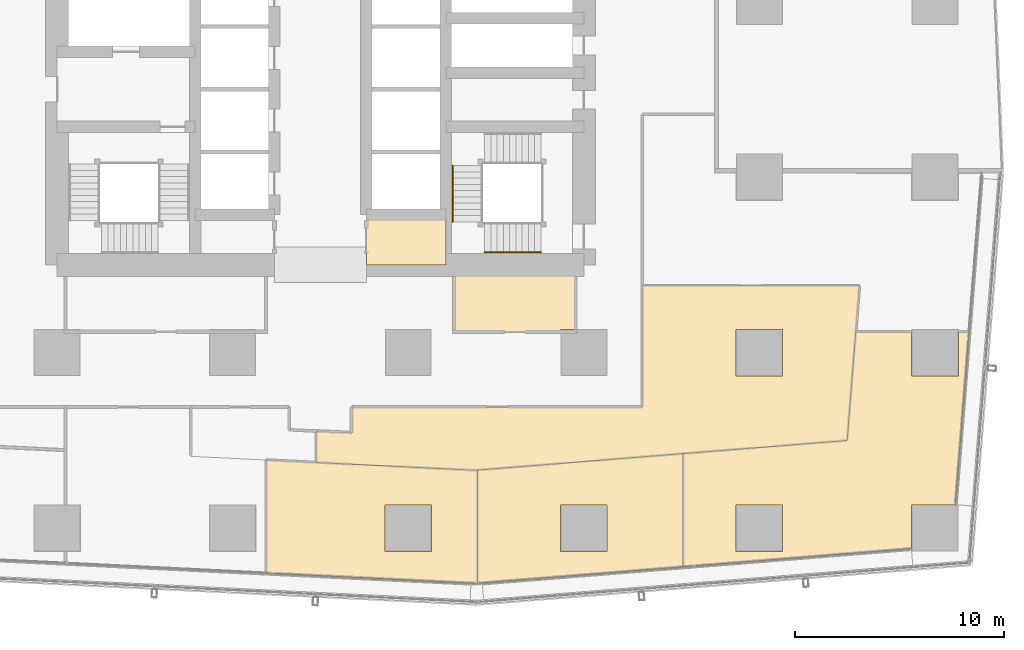
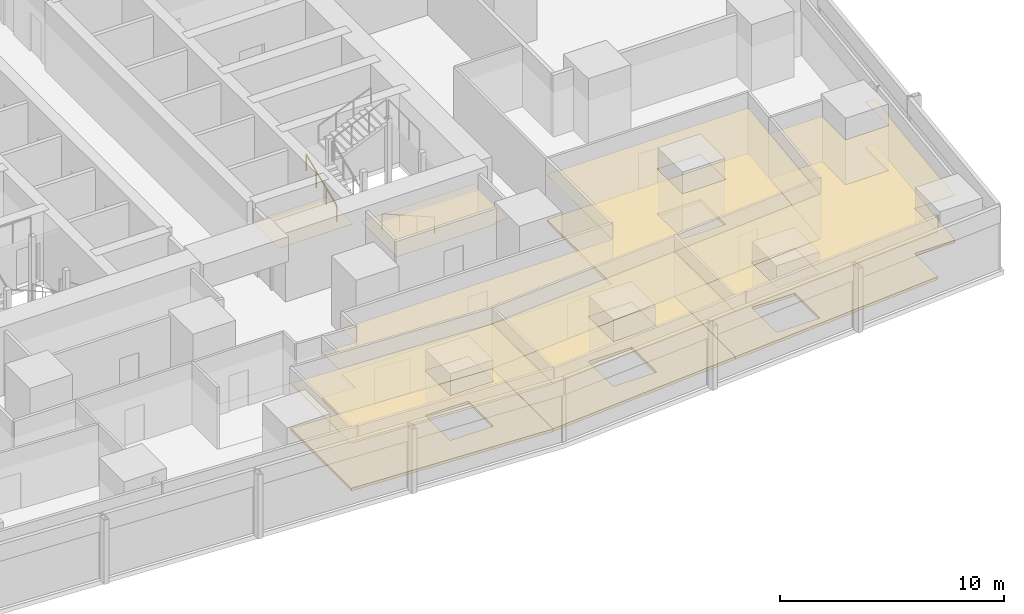
# One storey, part 36 of 42: 10 coverings, 2 railings.
"""IFC4 building model written with IfcOpenShell, lengths in metres."""

from ifc_helpers import new_model, si_unit, direction, frame, origin, origin_2d, place, context, subcontext, project, spatial, polyline, circle, outline, extrude, material, layer, layer_set, type_object, element, save


model = new_model("IFC4")

# Units and contexts
model_context = context("Model", 3, precision=1e-05, world=origin(), true_north=direction((0.0, 1.0)))
body_context = subcontext(model_context, "Body", "Model", "MODEL_VIEW")
ifc_project = project(units=[si_unit("LENGTHUNIT", "METRE"), si_unit("AREAUNIT", "SQUARE_METRE"), si_unit("VOLUMEUNIT", "CUBIC_METRE"), si_unit("PLANEANGLEUNIT", "RADIAN"), si_unit("MASSUNIT", "GRAM", prefix="KILO")], contexts=[model_context])

# Site, building, storey
site_placement = place(None, origin())
site = spatial("IfcSite", under=ifc_project, at=site_placement, CompositionType="ELEMENT")
building_placement = place(site_placement, origin())
building = spatial("IfcBuilding", under=site, at=building_placement, Name="Rekha Terrace Tower", CompositionType="ELEMENT")
storey_placement = place(building_placement, frame((0.0, 0.0, 70.39990234375)))
storey = spatial("IfcBuildingStorey", under=building, at=storey_placement, Name="L17", CompositionType="ELEMENT", Elevation=70.39990234375)

# Coverings
ifc_material_1 = material(Name="Mineral fibre tile in exposed grid", Category="finish")
ifc_layer_1 = layer(ifc_material_1, 0.02001953125)
ifc_layer_set_1 = layer_set([ifc_layer_1], Name="Mineral fibre tile in exposed grid")
covering_type_1 = type_object("IfcCoveringType", Name="CL1 600x1200 office grid ceiling", PredefinedType="CEILING", material=ifc_layer_set_1)
covering_1_placement = place(storey_placement, frame((0.0, 0.0, 2.580078125)))
element("IfcCovering", 1, at=covering_1_placement, inside=storey, type_object=covering_type_1, Name="Ceiling L17-02", PredefinedType="CEILING", context=body_context, shape_type="SweptSolid", body=[
    extrude(outline(polyline([(45.303955078125, 5.760009765625), (45.303955078125, 11.1669921875), (35.200927734375, 11.6630859375), (35.200927734375, 6.257080078125), (45.303955078125, 5.760009765625)]), holes=[polyline([(43.114990234375, 7.284912109375), (40.885009765625, 7.284912109375), (40.885009765625, 9.514892578125), (43.114990234375, 9.514892578125), (43.114990234375, 7.284912109375)])]), origin(), (0.0, 0.0, 1.0), 0.02001953125),
])
covering_2_placement = place(storey_placement, frame((0.0, 0.0, 2.580078125)))
element("IfcCovering", 2, at=covering_2_placement, inside=storey, type_object=covering_type_1, Name="Ceiling L17-03", PredefinedType="CEILING", context=body_context, shape_type="SweptSolid", body=[
    extrude(outline(polyline([(45.304931640625, 11.181884765625), (45.304931640625, 5.764892578125), (55.152099609375, 6.553955078125), (55.152099609375, 11.970947265625), (45.304931640625, 11.181884765625)]), holes=[polyline([(51.514892578125, 7.284912109375), (49.284912109375, 7.284912109375), (49.284912109375, 9.514892578125), (51.514892578125, 9.514892578125), (51.514892578125, 7.284912109375)])]), origin(), (0.0, 0.0, 1.0), 0.02001953125),
])
covering_3_placement = place(storey_placement, frame((0.0, 0.0, 2.580078125)))
element("IfcCovering", 3, at=covering_3_placement, inside=storey, type_object=covering_type_1, Name="Ceiling L17-04", PredefinedType="CEILING", context=body_context, shape_type="SweptSolid", body=[
    extrude(outline(polyline([(66.0849609375, 15.68505859375), (66.0849609375, 17.797119140625), (63.407958984375, 17.797119140625), (62.99609375, 12.59912109375), (55.153076171875, 11.970947265625), (55.153076171875, 6.553955078125), (66.0849609375, 7.428955078125), (66.0849609375, 9.514892578125), (68.16796875, 9.514892578125), (68.824951171875, 17.797119140625), (68.31494140625, 17.797119140625), (68.31494140625, 15.68505859375), (66.0849609375, 15.68505859375)]), holes=[polyline([(59.9150390625, 7.284912109375), (57.68505859375, 7.284912109375), (57.68505859375, 9.514892578125), (59.9150390625, 9.514892578125), (59.9150390625, 7.284912109375)])]), origin(), (0.0, 0.0, 1.0), 0.02001953125),
])
covering_4_placement = place(storey_placement, frame((0.0, 0.0, 2.580078125)))
element("IfcCovering", 4, at=covering_4_placement, inside=storey, type_object=covering_type_1, Name="Ceiling L17-O1", PredefinedType="CEILING", context=body_context, shape_type="SweptSolid", body=[
    extrude(outline(polyline([(37.60107421875, 11.544921875), (45.18798828125, 11.173095703125), (45.320068359375, 11.18310546875), (55.16796875, 11.971923828125), (62.99609375, 12.59912109375), (63.407958984375, 17.798095703125), (63.5830078125, 20.001953125), (53.199951171875, 20.001953125), (53.199951171875, 14.199951171875), (39.300048828125, 14.199951171875), (39.300048828125, 12.964111328125), (37.60107421875, 13.047119140625), (37.60107421875, 11.544921875)]), holes=[polyline([(59.9150390625, 17.9150390625), (59.9150390625, 15.68505859375), (57.68505859375, 15.68505859375), (57.68505859375, 17.9150390625), (59.9150390625, 17.9150390625)])]), origin(), (0.0, 0.0, 1.0), 0.02001953125),
])
ifc_material_2 = material(Name="Fibre cement board", Category="finish")
ifc_layer_2 = layer(ifc_material_2, 0.014892578125)
ifc_layer_set_2 = layer_set([ifc_layer_2], Name="Fibre cement board")
covering_type_2 = type_object("IfcCoveringType", Name="CL2 moisture-resistant board ceiling", PredefinedType="CEILING", material=ifc_layer_set_2)
covering_5_placement = place(storey_placement, frame((0.0, 0.0, 2.585205078125)))
element("IfcCovering", 5, at=covering_5_placement, inside=storey, type_object=covering_type_2, Name="Ceiling L17-WCA", PredefinedType="CEILING", context=body_context, shape_type="SweptSolid", body=[
    extrude(outline(polyline([(43.800048828125, 23.39990234375), (40.0, 23.39990234375), (40.0, 21.0), (43.800048828125, 21.0), (43.800048828125, 23.39990234375)])), origin(), (0.0, 0.0, 1.0), 0.014892578125),
])
covering_6_placement = place(storey_placement, frame((0.0, 0.0, 2.585205078125)))
element("IfcCovering", 6, at=covering_6_placement, inside=storey, type_object=covering_type_2, Name="Ceiling L17-WCM2", PredefinedType="CEILING", context=body_context, shape_type="SweptSolid", body=[
    extrude(outline(polyline([(50.0, 21.0), (44.199951171875, 21.0), (44.199951171875, 17.800048828125), (49.284912109375, 17.800048828125), (49.284912109375, 17.9150390625), (50.0, 17.9150390625), (50.0, 21.0)])), origin(), (0.0, 0.0, 1.0), 0.014892578125),
])

# Railings
ifc_material_3 = material(Name="Stainless steel tube", Category="steel")
railing_type = type_object("IfcRailingType", Name="HR1 900 stair handrail", PredefinedType="HANDRAIL", material=ifc_material_3)
railing_1_placement = place(storey_placement, frame((48.35009765625, 21.610107421875, 0.125)))
element("IfcRailing", 7, at=railing_1_placement, inside=storey, type_object=railing_type, Name="Handrail ST3 L17 flight 1", PredefinedType="HANDRAIL", context=body_context, shape_type="SweptSolid", body=[
    extrude(circle(Radius=0.02392578125, at=origin_2d()), frame((0.0, 0.0, 0.8759765625), z_axis=(-0.923086799901, 0.0, 0.38459167938), x_axis=(0.0, -1.0, 0.0)), (0.0, 0.0, 1.0), 2.92529296875),
    extrude(circle(Radius=0.02099609375, at=origin_2d()), origin(), (0.0, 0.0, 1.0), 0.851806640625),
    extrude(circle(Radius=0.02099609375, at=origin_2d()), frame((-0.900146484375, 0.0, 0.375)), (0.0, 0.0, 1.0), 0.851806640625),
    extrude(circle(Radius=0.02099609375, at=origin_2d()), frame((-1.800048828125, 0.0, 0.75)), (0.0, 0.0, 1.0), 0.851806640625),
    extrude(circle(Radius=0.02099609375, at=origin_2d()), frame((-2.7001953125, 0.0, 1.125)), (0.0, 0.0, 1.0), 0.851806640625),
])
railing_2_placement = place(storey_placement, frame((44.135009765625, 23.050048828125, 1.375)))
element("IfcRailing", 8, at=railing_2_placement, inside=storey, type_object=railing_type, Name="Handrail ST3 L17 flight 2", PredefinedType="HANDRAIL", context=body_context, shape_type="SweptSolid", body=[
    extrude(circle(Radius=0.02392578125, at=origin_2d()), frame((0.0, 0.0, 0.8759765625), z_axis=(0.0, 0.923074453586, 0.384621311341), x_axis=(-1.0, 0.0, 0.0)), (0.0, 0.0, 1.0), 2.925048828125),
    extrude(circle(Radius=0.02099609375, at=origin_2d()), origin(), (0.0, 0.0, 1.0), 0.851806640625),
    extrude(circle(Radius=0.02099609375, at=origin_2d()), frame((0.0, 0.89990234375, 0.375)), (0.0, 0.0, 1.0), 0.851806640625),
    extrude(circle(Radius=0.02099609375, at=origin_2d()), frame((0.0, 1.800048828125, 0.75)), (0.0, 0.0, 1.0), 0.851806640625),
    extrude(circle(Radius=0.02099609375, at=origin_2d()), frame((0.0, 2.699951171875, 1.125)), (0.0, 0.0, 1.0), 0.851806640625),
])

# Coverings
ifc_material_4 = material(Name="Calcium sulphate panels on steel pedestals", Category="steel")
ifc_layer_3 = layer(ifc_material_4, 0.14990234375)
ifc_layer_set_3 = layer_set([ifc_layer_3], Name="Calcium sulphate panels on steel pedestals")
covering_type_3 = type_object("IfcCoveringType", Name="RF1 150 raised access floor", PredefinedType="FLOORING", material=ifc_layer_set_3)
covering_7_placement = place(storey_placement, origin())
element("IfcCovering", 9, at=covering_7_placement, inside=storey, type_object=covering_type_3, Name="Raised floor L17-02", PredefinedType="FLOORING", context=body_context, shape_type="SweptSolid", body=[
    extrude(outline(polyline([(45.303955078125, 5.760009765625), (45.303955078125, 11.1669921875), (35.200927734375, 11.6630859375), (35.200927734375, 6.257080078125), (45.303955078125, 5.760009765625)]), holes=[polyline([(43.114990234375, 7.284912109375), (40.885009765625, 7.284912109375), (40.885009765625, 9.514892578125), (43.114990234375, 9.514892578125), (43.114990234375, 7.284912109375)])]), origin(), (0.0, 0.0, 1.0), 0.150146484375),
])
covering_8_placement = place(storey_placement, origin())
element("IfcCovering", 10, at=covering_8_placement, inside=storey, type_object=covering_type_3, Name="Raised floor L17-03", PredefinedType="FLOORING", context=body_context, shape_type="SweptSolid", body=[
    extrude(outline(polyline([(45.304931640625, 11.181884765625), (45.304931640625, 5.764892578125), (55.152099609375, 6.553955078125), (55.152099609375, 11.970947265625), (45.304931640625, 11.181884765625)]), holes=[polyline([(51.514892578125, 7.284912109375), (49.284912109375, 7.284912109375), (49.284912109375, 9.514892578125), (51.514892578125, 9.514892578125), (51.514892578125, 7.284912109375)])]), origin(), (0.0, 0.0, 1.0), 0.150146484375),
])
covering_9_placement = place(storey_placement, origin())
element("IfcCovering", 11, at=covering_9_placement, inside=storey, type_object=covering_type_3, Name="Raised floor L17-04", PredefinedType="FLOORING", context=body_context, shape_type="SweptSolid", body=[
    extrude(outline(polyline([(66.0849609375, 15.68505859375), (66.0849609375, 17.797119140625), (63.407958984375, 17.797119140625), (62.99609375, 12.59912109375), (55.153076171875, 11.970947265625), (55.153076171875, 6.553955078125), (66.0849609375, 7.428955078125), (66.0849609375, 9.514892578125), (68.16796875, 9.514892578125), (68.824951171875, 17.797119140625), (68.31494140625, 17.797119140625), (68.31494140625, 15.68505859375), (66.0849609375, 15.68505859375)]), holes=[polyline([(59.9150390625, 7.284912109375), (57.68505859375, 7.284912109375), (57.68505859375, 9.514892578125), (59.9150390625, 9.514892578125), (59.9150390625, 7.284912109375)])]), origin(), (0.0, 0.0, 1.0), 0.150146484375),
])
covering_10_placement = place(storey_placement, origin())
element("IfcCovering", 12, at=covering_10_placement, inside=storey, type_object=covering_type_3, Name="Raised floor L17-O1", PredefinedType="FLOORING", context=body_context, shape_type="SweptSolid", body=[
    extrude(outline(polyline([(37.60107421875, 11.544921875), (45.18798828125, 11.173095703125), (45.320068359375, 11.18310546875), (55.16796875, 11.971923828125), (62.99609375, 12.59912109375), (63.407958984375, 17.798095703125), (63.5830078125, 20.001953125), (53.199951171875, 20.001953125), (53.199951171875, 14.199951171875), (39.300048828125, 14.199951171875), (39.300048828125, 12.964111328125), (37.60107421875, 13.047119140625), (37.60107421875, 11.544921875)]), holes=[polyline([(59.9150390625, 17.9150390625), (59.9150390625, 15.68505859375), (57.68505859375, 15.68505859375), (57.68505859375, 17.9150390625), (59.9150390625, 17.9150390625)])]), origin(), (0.0, 0.0, 1.0), 0.150146484375),
])

save(model, "model.ifc")
